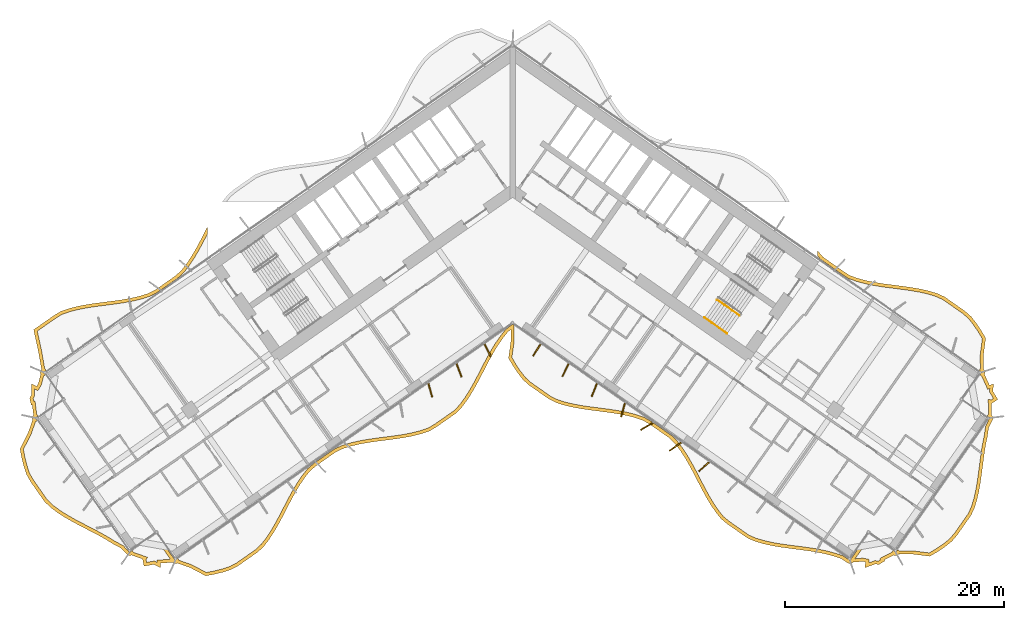
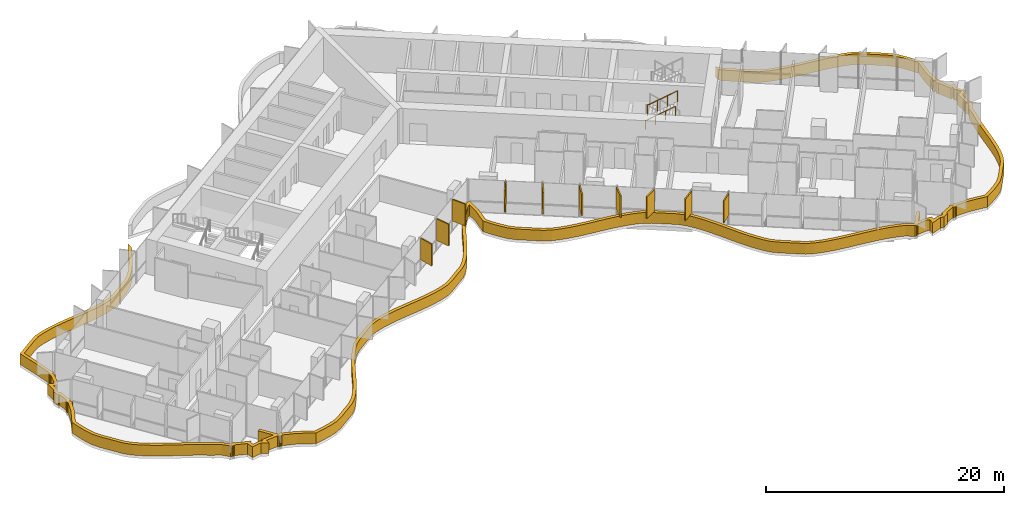
# One storey, part 21 of 24: 11 shading devices, 2 railings.
"""IFC4 building model written with IfcOpenShell, lengths in metres."""

from ifc_helpers import new_model, si_unit, direction, frame, origin, origin_2d, place, context, subcontext, project, spatial, polyline, rectangle, circle, outline, extrude, material, layer, layer_set, type_object, element, save


model = new_model("IFC4")

# Units and contexts
model_context = context("Model", 3, precision=1e-05, world=origin(), true_north=direction((0.0, 1.0)))
body_context = subcontext(model_context, "Body", "Model", "MODEL_VIEW")
ifc_project = project(units=[si_unit("LENGTHUNIT", "METRE"), si_unit("AREAUNIT", "SQUARE_METRE"), si_unit("VOLUMEUNIT", "CUBIC_METRE"), si_unit("PLANEANGLEUNIT", "RADIAN"), si_unit("MASSUNIT", "GRAM", prefix="KILO")], contexts=[model_context])

# Site, building, storey
site_placement = place(None, origin())
site = spatial("IfcSite", under=ifc_project, at=site_placement, CompositionType="ELEMENT")
building_placement = place(site_placement, origin())
building = spatial("IfcBuilding", under=site, at=building_placement, Name="Tel Ilan Convention Tower", CompositionType="ELEMENT")
storey_placement = place(building_placement, frame((0.0, 0.0, 68.89990234375)))
storey = spatial("IfcBuildingStorey", under=building, at=storey_placement, Name="L12", CompositionType="ELEMENT", Elevation=68.89990234375)

# Shading devices
ifc_material_1 = material(Name="Aluminium, bronze anodised", Category="aluminium")
ifc_layer_1 = layer(ifc_material_1, 0.1201171875)
ifc_layer_set_1 = layer_set([ifc_layer_1], Name="FIN BRONZE 1300x120")
shading_device_type_1 = type_object("IfcShadingDeviceType", Name="FIN BRONZE 1300x120", PredefinedType="USERDEFINED", material=ifc_layer_set_1)
for number, where, z_axis, x_axis, name in (
    (1, (-7.5244140625, -18.858642578125, 1.10009765625), (0.0, 0.0, 1.0), (0.268172612768, -0.963370878614, 0.0), "FIN"),
    (2, (-4.897705078125, -17.034912109375, 1.10009765625), (0.0, 0.0, 1.0), (0.360177724803, -0.932883704733, 0.0), "FIN"),
    (3, (-2.2734375, -15.205078125, 1.10009765625), (0.0, 0.0, 1.0), (0.448799180206, -0.893632640321, 0.0), "FIN"),
    (4, (2.221923828125, -15.16943359375, 1.10009765625), (0.0, 0.0, 1.0), (-0.533204432798, -0.845986425922, 0.0), "FIN"),
    (5, (4.843505859375, -17.004638671875, 1.10009765625), (0.0, 0.0, 1.0), (-0.448799180206, -0.893632640321, 0.0), "FIN"),
    (6, (7.4677734375, -18.83447265625, 1.10009765625), (0.0, 0.0, 1.0), (-0.360177724803, -0.932883704733, 0.0), "FIN"),
    (7, (10.09423828125, -20.658203125, 1.10009765625), (0.0, 0.0, 1.0), (-0.268172612768, -0.963370878614, 0.0), "FIN"),
    (8, (12.2724609375, -22.160888671875, 1.10009765625), (0.0, 0.0, 1.0), (-0.866025403784, -0.5, 0.0), "FIN"),
    (9, (14.879638671875, -24.009033203125, 1.10009765625), (0.0, 0.0, 1.0), (-0.813552070258, -0.581492071294, 0.0), "FIN"),
    (10, (17.491943359375, -25.853271484375, 1.10009765625), (0.0, 0.0, 1.0), (-0.753435896329, -0.657521368568, 0.0), "FIN"),
):
    element("IfcShadingDevice", number, at=place(storey_placement, frame(where, z_axis=z_axis, x_axis=x_axis)), inside=storey, type_object=shading_device_type_1, Name=name, ObjectType="FIN", PredefinedType="USERDEFINED", context=body_context, shape_type="SweptSolid", body=[
        extrude(rectangle(XDim=1.300048828125, YDim=0.1201171875, at=origin_2d()), origin(), (0.0, 0.0, 1.0), 2.219970703125),
    ])
ifc_material_2 = material(Name="Aluminium, bronze anodised", Category="aluminium")
ifc_layer_2 = layer(ifc_material_2, 0.300048828125)
ifc_layer_set_2 = layer_set([ifc_layer_2], Name="LOUVRE BAND 300x1100")
shading_device_type_2 = type_object("IfcShadingDeviceType", Name="LOUVRE BAND 300x1100", PredefinedType="USERDEFINED", material=ifc_layer_set_2)
shading_device_placement = place(storey_placement, origin())
element("IfcShadingDevice", 11, at=shading_device_placement, inside=storey, type_object=shading_device_type_2, Name="LOUVRE BAND 12.01", ObjectType="LOUVRE", PredefinedType="USERDEFINED", context=body_context, shape_type="SweptSolid", body=[
    extrude(outline(polyline([(-44.2939453125, -22.77490234375), (-45.028564453125, -24.204833984375), (-44.876953125, -25.01416015625), (-44.68408203125, -25.794677734375), (-44.4384765625, -26.538330078125), (-44.07080078125, -27.196533203125), (-42.7802734375, -29.03955078125), (-42.232421875, -29.571533203125), (-41.598876953125, -30.04345703125), (-40.91650390625, -30.481201171875), (-40.196533203125, -30.892822265625), (-39.45263671875, -31.287353515625), (-37.949462890625, -32.066162109375), (-37.219970703125, -32.470947265625), (-36.523681640625, -32.89892578125), (-35.783203125, -33.2958984375), (-35.26318359375, -33.847412109375), (-35.258544921875, -33.843994140625), (-35.2294921875, -33.887451171875), (-35.13232421875, -33.952392578125), (-35.017578125, -33.975341796875), (-34.902587890625, -33.952392578125), (-34.8486328125, -33.91650390625), (-33.810546875, -34.284912109375), (-33.821533203125, -34.302734375), (-33.688720703125, -34.9423828125), (-32.80029296875, -34.774658203125), (-32.20068359375, -35.082763671875), (-32.199462890625, -34.66796875), (-31.080322265625, -34.580810546875), (-31.051513671875, -34.624267578125), (-30.9541015625, -34.689208984375), (-30.83935546875, -34.7119140625), (-30.724365234375, -34.689208984375), (-30.67041015625, -34.653076171875), (-29.47802734375, -35.069091796875), (-28.049560546875, -35.822265625), (-27.250732421875, -35.676025390625), (-26.48095703125, -35.488525390625), (-25.74609375, -35.2509765625), (-25.0888671875, -34.90234375), (-23.27490234375, -33.63232421875), (-22.733642578125, -33.117919921875), (-22.262939453125, -32.50341796875), (-21.826416015625, -31.839599609375), (-21.4169921875, -31.13720703125), (-21.026123046875, -30.408935546875), (-20.2607421875, -28.927978515625), (-19.86669921875, -28.20361328125), (-19.45263671875, -27.5078125), (-19.010009765625, -26.85302734375), (-18.53173828125, -26.249267578125), (-17.96875, -25.76611328125), (-16.154541015625, -24.495849609375), (-15.474853515625, -24.1796875), (-14.732666015625, -23.952880859375), (-13.95654296875, -23.774169921875), (-13.154296875, -23.6328125), (-12.334716796875, -23.516357421875), (-10.681640625, -23.30322265625), (-9.86767578125, -23.178466796875), (-9.074951171875, -23.023681640625), (-8.3115234375, -22.8271484375), (-7.584228515625, -22.57861328125), (-6.9482421875, -22.2001953125), (-5.134033203125, -20.929931640625), (-4.616455078125, -20.38232421875), (-4.15283203125, -19.75732421875), (-3.722412109375, -19.0849609375), (-3.3173828125, -18.37646484375), (-2.9287109375, -17.644287109375), (-2.16259765625, -16.16455078125), (-1.765380859375, -15.44482421875), (-1.346435546875, -14.75634765625), (-0.897216796875, -14.110595703125), (-0.422119140625, -13.502197265625), (-0.16796875, -13.31494140625), (-0.15185546875, -14.322021484375), (-0.37109375, -15.922119140625), (0.03955078125, -16.62255859375), (0.47900390625, -17.281982421875), (0.95361328125, -17.89111328125), (1.505859375, -18.389404296875), (3.320068359375, -19.65966796875), (3.98828125, -19.9921875), (4.726806640625, -20.224609375), (5.499755859375, -20.407470703125), (6.2998046875, -20.552001953125), (7.1181640625, -20.67041015625), (8.771484375, -20.883056640625), (9.5869140625, -21.005615234375), (10.38232421875, -21.15673828125), (11.14892578125, -21.3486328125), (11.880126953125, -21.591796875), (12.5263671875, -21.95556640625), (14.340576171875, -23.225830078125), (14.8701171875, -23.75634765625), (15.337158203125, -24.376220703125), (15.770751953125, -25.044189453125), (16.177734375, -25.749755859375), (16.567626953125, -26.480224609375), (17.333251953125, -27.960693359375), (17.728759765625, -28.682861328125), (18.145263671875, -29.375), (18.59130859375, -30.025146484375), (19.073486328125, -30.62353515625), (19.646728515625, -31.091796875), (21.460693359375, -32.362060546875), (22.15234375, -32.6611328125), (22.898193359375, -32.883056640625), (23.67724609375, -33.057373046875), (24.481689453125, -33.19580078125), (25.302490234375, -33.310546875), (26.955078125, -33.5244140625), (27.767333984375, -33.6513671875), (28.5576171875, -33.809814453125), (29.31787109375, -34.010986328125), (30.052001953125, -34.24951171875), (30.667236328125, -34.65771484375), (30.67041015625, -34.653076171875), (30.724365234375, -34.689208984375), (30.83935546875, -34.7119140625), (30.9541015625, -34.689208984375), (31.051513671875, -34.624267578125), (31.080322265625, -34.580810546875), (32.01025390625, -34.49951171875), (32.267822265625, -34.55126953125), (32.20068359375, -35.082763671875), (33.17138671875, -34.73291015625), (33.477294921875, -34.794189453125), (34.032958984375, -34.450927734375), (33.979248046875, -34.3603515625), (34.8486328125, -33.91650390625), (34.902587890625, -33.952392578125), (35.017578125, -33.975341796875), (35.13232421875, -33.952392578125), (35.2294921875, -33.887451171875), (35.258544921875, -33.843994140625), (36.55078125, -33.833251953125), (38.145751953125, -34.034423828125), (38.8544921875, -33.615234375), (39.521728515625, -33.1669921875), (40.13671875, -32.681884765625), (40.62939453125, -32.111328125), (41.919921875, -30.268310546875), (42.232421875, -29.571533203125), (42.45947265625, -28.814697265625), (42.63720703125, -28.023681640625), (42.77783203125, -27.20654296875), (42.89404296875, -26.372314453125), (43.11181640625, -24.693603515625), (43.24267578125, -23.86962890625), (43.40673828125, -23.069091796875), (43.5263671875, -22.2373046875), (43.866943359375, -21.56005859375), (43.8623046875, -21.556884765625), (43.898193359375, -21.5029296875), (43.921142578125, -21.387939453125), (43.898193359375, -21.273193359375), (43.833251953125, -21.17578125), (43.7900390625, -21.14697265625), (43.78125, -20.04541015625), (43.8017578125, -20.049560546875), (44.357177734375, -19.7060546875), (43.89599609375, -18.9287109375), (43.98046875, -18.259765625), (43.590087890625, -18.400634765625), (43.12548828125, -17.378662109375), (43.16162109375, -17.32470703125), (43.184326171875, -17.2099609375), (43.16162109375, -17.094970703125), (43.096435546875, -16.997802734375), (43.05322265625, -16.96875), (43.041259765625, -15.681884765625), (43.245849609375, -14.085693359375), (42.828125, -13.378662109375), (42.38134765625, -12.712646484375), (41.898193359375, -12.098876953125), (41.330810546875, -11.605224609375), (39.492919921875, -10.318359375), (38.80126953125, -10.001953125), (38.0478515625, -9.774169921875), (37.260009765625, -9.595458984375), (36.44580078125, -9.4541015625), (35.614501953125, -9.337646484375), (33.940185546875, -9.120849609375), (33.117919921875, -8.99169921875), (32.318115234375, -8.830078125), (31.54931640625, -8.623779296875), (30.819091796875, -8.36279296875), (30.191162109375, -7.955810546875), (28.35693359375, -6.66357421875), (27.874755859375, -6.095458984375), (27.874755859375, -6.55908203125), (28.15234375, -6.88623046875), (30.0234375, -8.20458984375), (30.68505859375, -8.633544921875), (31.4599609375, -8.910400390625), (32.249267578125, -9.1220703125), (33.064697265625, -9.286865234375), (33.897216796875, -9.417724609375), (35.574951171875, -9.635009765625), (36.3994140625, -9.750732421875), (37.201171875, -9.8896484375), (37.97119140625, -10.064453125), (38.695068359375, -10.283447265625), (39.34326171875, -10.57958984375), (41.145751953125, -11.841796875), (41.679931640625, -12.306640625), (42.138427734375, -12.889404296875), (42.57421875, -13.53857421875), (42.935302734375, -14.149658203125), (42.740966796875, -15.66455078125), (42.75537109375, -16.87109375), (42.638671875, -17.037841796875), (42.88427734375, -17.2099609375), (42.712890625, -17.4560546875), (42.890625, -17.580322265625), (43.430908203125, -18.77685546875), (43.621337890625, -18.7080078125), (43.58544921875, -18.9931640625), (43.948974609375, -19.605712890625), (43.74462890625, -19.732177734375), (43.477294921875, -19.678466796875), (43.4921875, -21.049072265625), (43.37548828125, -21.216064453125), (43.62109375, -21.387939453125), (43.44970703125, -21.63427734375), (43.482421875, -21.656982421875), (43.236328125, -22.146240234375), (43.111083984375, -23.017578125), (42.947265625, -23.816162109375), (42.81494140625, -24.650390625), (42.5966796875, -26.332763671875), (42.481201171875, -27.160400390625), (42.343017578125, -27.96533203125), (42.1689453125, -28.73876953125), (41.95068359375, -29.466552734375), (41.657958984375, -30.11962890625), (40.392333984375, -31.9267578125), (39.928466796875, -32.464111328125), (39.344970703125, -32.92431640625), (38.6943359375, -33.361328125), (38.081298828125, -33.72412109375), (36.56787109375, -33.533203125), (35.3564453125, -33.54638671875), (35.189453125, -33.429443359375), (35.017578125, -33.67529296875), (34.771240234375, -33.50390625), (34.642822265625, -33.6875), (33.5576171875, -34.23779296875), (33.62451171875, -34.3505859375), (33.42041015625, -34.476806640625), (33.1484375, -34.422119140625), (32.559814453125, -34.634521484375), (32.600341796875, -34.31201171875), (32.026611328125, -34.19677734375), (31.310302734375, -34.26220703125), (32.117919921875, -33.109130859375), (31.8720703125, -32.93701171875), (30.83935546875, -34.412109375), (30.593505859375, -34.239990234375), (30.58935546875, -34.24609375), (30.183837890625, -33.976806640625), (29.402587890625, -33.722900390625), (28.62548828125, -33.517333984375), (27.81982421875, -33.35595703125), (26.997802734375, -33.227294921875), (25.342041015625, -33.01318359375), (24.52783203125, -32.8994140625), (23.735595703125, -32.76318359375), (22.973876953125, -32.592529296875), (22.255126953125, -32.378662109375), (21.60791015625, -32.0986328125), (19.827880859375, -30.852294921875), (19.287353515625, -30.410888671875), (18.83203125, -29.845947265625), (18.397705078125, -29.212646484375), (17.989013671875, -28.533203125), (17.597900390625, -27.8193359375), (16.833251953125, -26.3408203125), (16.440185546875, -25.604248046875), (16.026611328125, -24.8876953125), (15.583251953125, -24.2041015625), (15.09716796875, -23.55908203125), (14.5341796875, -22.9951171875), (12.6865234375, -21.701171875), (12.001953125, -21.316162109375), (11.23291015625, -21.060546875), (10.44677734375, -20.863525390625), (9.63720703125, -20.709716796875), (8.81298828125, -20.5859375), (7.15869140625, -20.373046875), (6.347900390625, -20.255859375), (5.56103515625, -20.11376953125), (4.806396484375, -19.93505859375), (4.100830078125, -19.713134765625), (3.4736328125, -19.401123046875), (1.693115234375, -18.154296875), (1.17431640625, -17.68603515625), (0.72265625, -17.106201171875), (0.294189453125, -16.46337890625), (-0.059814453125, -15.85986328125), (0.1484375, -14.340087890625), (0.12548828125, -12.906005859375), (0.0, -12.818115234375), (-0.63330078125, -13.285400390625), (-1.138916015625, -13.9326171875), (-1.597900390625, -14.592529296875), (-2.025146484375, -15.294189453125), (-2.427001953125, -16.022705078125), (-3.19482421875, -17.50537109375), (-3.580078125, -18.231689453125), (-3.979248046875, -18.929443359375), (-4.39990234375, -19.5869140625), (-4.8466796875, -20.189208984375), (-5.3310546875, -20.70166015625), (-7.111083984375, -21.947998046875), (-7.7109375, -22.304931640625), (-8.3974609375, -22.53955078125), (-9.14111328125, -22.73095703125), (-9.919189453125, -22.8828125), (-10.723876953125, -23.006103515625), (-12.374755859375, -23.218994140625), (-13.201416015625, -23.33642578125), (-14.016357421875, -23.47998046875), (-14.810302734375, -23.662841796875), (-15.58251953125, -23.89892578125), (-16.30517578125, -24.235107421875), (-18.15283203125, -25.52880859375), (-18.748779296875, -26.040283203125), (-19.252197265625, -26.675537109375), (-19.7060546875, -27.346923828125), (-20.12744140625, -28.05517578125), (-20.525634765625, -28.787109375), (-21.29150390625, -30.26904296875), (-21.678955078125, -30.99072265625), (-22.08154296875, -31.681640625), (-22.507568359375, -32.32958984375), (-22.95751953125, -32.916748046875), (-23.46533203125, -33.3994140625), (-25.245849609375, -34.64599609375), (-25.86328125, -34.9736328125), (-26.5625, -35.19970703125), (-27.313232421875, -35.38232421875), (-28.00146484375, -35.508544921875), (-29.3583984375, -34.79296875), (-30.477294921875, -34.406005859375), (-30.593505859375, -34.239990234375), (-30.83935546875, -34.412109375), (-31.8720703125, -32.93701171875), (-32.117919921875, -33.109130859375), (-31.28515625, -34.29833984375), (-32.498779296875, -34.3896484375), (-32.499267578125, -34.59228515625), (-32.7548828125, -34.4609375), (-33.454833984375, -34.593017578125), (-33.503662109375, -34.35791015625), (-33.361572265625, -34.124755859375), (-34.655029296875, -33.669921875), (-34.771240234375, -33.50390625), (-35.017578125, -33.67529296875), (-35.189453125, -33.429443359375), (-35.222900390625, -33.452880859375), (-35.598388671875, -33.054443359375), (-36.374267578125, -32.638671875), (-37.068603515625, -32.211669921875), (-37.807373046875, -31.802001953125), (-39.313720703125, -31.021240234375), (-40.052001953125, -30.6298828125), (-40.760986328125, -30.224609375), (-41.42822265625, -29.796630859375), (-42.03759765625, -29.342529296875), (-42.551025390625, -28.84423828125), (-43.81640625, -27.036865234375), (-44.16259765625, -26.4169921875), (-44.3955078125, -25.71142578125), (-44.583740234375, -24.950439453125), (-44.71484375, -24.25048828125), (-44.017822265625, -22.8935546875), (-43.61572265625, -21.75048828125), (-43.44970703125, -21.63427734375), (-43.62109375, -21.387939453125), (-43.37548828125, -21.216064453125), (-43.50439453125, -21.03173828125), (-43.650390625, -19.823974609375), (-43.779296875, -19.84814453125), (-43.828125, -19.613037109375), (-43.683837890625, -19.376220703125), (-43.681884765625, -18.75048828125), (-43.392822265625, -18.89892578125), (-43.088134765625, -18.399169921875), (-42.8681640625, -17.564697265625), (-42.712890625, -17.4560546875), (-42.88427734375, -17.2099609375), (-42.638671875, -17.037841796875), (-42.772705078125, -16.846435546875), (-43.07080078125, -15.1611328125), (-43.445556640625, -13.4521484375), (-41.779296875, -12.285400390625), (-41.1748046875, -11.917724609375), (-40.481201171875, -11.678466796875), (-39.728515625, -11.483642578125), (-38.940185546875, -11.32958984375), (-38.125, -11.204833984375), (-36.4521484375, -10.9892578125), (-35.61474609375, -10.869140625), (-34.790283203125, -10.7216796875), (-33.988037109375, -10.532958984375), (-33.2060546875, -10.2880859375), (-32.48779296875, -9.93017578125), (-30.61474609375, -8.61865234375), (-30.02783203125, -8.073974609375), (-29.527587890625, -7.424560546875), (-29.074462890625, -6.73681640625), (-28.652587890625, -6.013916015625), (-28.2529296875, -5.268798828125), (-27.874755859375, -4.535400390625), (-27.874755859375, -3.883544921875), (-28.518310546875, -5.129150390625), (-28.91455078125, -5.8671875), (-29.329345703125, -6.57861328125), (-29.772216796875, -7.250244140625), (-30.250244140625, -7.87109375), (-30.8037109375, -8.384765625), (-32.6416015625, -9.671630859375), (-33.318603515625, -10.0087890625), (-34.067138671875, -10.243408203125), (-34.85107421875, -10.427734375), (-35.66259765625, -10.572998046875), (-36.4921875, -10.69189453125), (-38.167236328125, -10.90771484375), (-38.99169921875, -11.033935546875), (-39.794921875, -11.19091796875), (-40.56787109375, -11.390869140625), (-41.30322265625, -11.64453125), (-41.943359375, -12.0341796875), (-43.78125, -13.321044921875), (-43.364990234375, -15.219482421875), (-43.05322265625, -16.96875), (-43.096435546875, -16.997802734375), (-43.16162109375, -17.094970703125), (-43.184326171875, -17.2099609375), (-43.16162109375, -17.32470703125), (-43.12548828125, -17.378662109375), (-43.3671875, -18.2802734375), (-43.50390625, -18.504638671875), (-43.98046875, -18.259765625), (-43.9833984375, -19.291748046875), (-44.14599609375, -19.55810546875), (-44.01318359375, -20.197509765625), (-43.90966796875, -20.177978515625), (-43.7900390625, -21.14697265625), (-43.833251953125, -21.17578125), (-43.898193359375, -21.273193359375), (-43.921142578125, -21.387939453125), (-43.898193359375, -21.5029296875), (-43.8623046875, -21.556884765625), (-44.2939453125, -22.77490234375)])), origin(), (0.0, 0.0, 1.0), 1.10009765625),
])

# Railings
ifc_material_3 = material(Name="Stainless Steel Grade 316", Category="steel")
railing_type_1 = type_object("IfcRailingType", Name="Stainless Steel Stair Guard 1100 mm", PredefinedType="GUARDRAIL", material=ifc_material_3)
railing_1_placement = place(storey_placement, frame((18.689208984375, -10.583740234375, 1.97998046875)))
element("IfcRailing", 12, at=railing_1_placement, inside=storey, type_object=railing_type_1, Name="L12 S4 stair guard 3", PredefinedType="GUARDRAIL", context=body_context, shape_type="SweptSolid", body=[
    extrude(circle(Radius=0.02392578125, at=origin_2d()), frame((0.0, 0.0, 1.076171875), z_axis=(0.689055814419, -0.482485747064, 0.540749099395), x_axis=(0.573579365141, 0.81914999352, 0.0)), (0.0, 0.0, 1.0), 2.99609375),
    extrude(circle(Radius=0.02099609375, at=origin_2d()), origin(), (0.0, 0.0, 1.0), 1.052001953125),
    extrude(circle(Radius=0.02099609375, at=origin_2d()), frame((0.688232421875, -0.48193359375, 0.5400390625)), (0.0, 0.0, 1.0), 1.052001953125),
    extrude(circle(Radius=0.02099609375, at=origin_2d()), frame((1.376220703125, -0.963623046875, 1.080078125)), (0.0, 0.0, 1.0), 1.052001953125),
    extrude(circle(Radius=0.02099609375, at=origin_2d()), frame((2.064453125, -1.445556640625, 1.6201171875)), (0.0, 0.0, 1.0), 1.052001953125),
])
ifc_material_4 = material(Name="Stainless Steel Grade 316", Category="steel")
railing_type_2 = type_object("IfcRailingType", Name="Stainless Steel Stair Handrail 900 mm", PredefinedType="HANDRAIL", material=ifc_material_4)
railing_2_placement = place(storey_placement, frame((17.542236328125, -12.22216796875, 1.97998046875)))
element("IfcRailing", 13, at=railing_2_placement, inside=storey, type_object=railing_type_2, Name="L12 S4 stair handrail 2", PredefinedType="HANDRAIL", context=body_context, shape_type="SweptSolid", body=[
    extrude(circle(Radius=0.02392578125, at=origin_2d()), frame((0.0, 0.0, 0.8759765625), z_axis=(0.689040105437, -0.482450316285, 0.54080072616), x_axis=(0.573559875649, 0.819163639968, 0.0)), (0.0, 0.0, 1.0), 2.995849609375),
    extrude(circle(Radius=0.02099609375, at=origin_2d()), origin(), (0.0, 0.0, 1.0), 0.851806640625),
    extrude(circle(Radius=0.02099609375, at=origin_2d()), frame((0.68798828125, -0.481689453125, 0.5400390625)), (0.0, 0.0, 1.0), 0.851806640625),
    extrude(circle(Radius=0.02099609375, at=origin_2d()), frame((1.376220703125, -0.963623046875, 1.080078125)), (0.0, 0.0, 1.0), 0.851806640625),
    extrude(circle(Radius=0.02099609375, at=origin_2d()), frame((2.064208984375, -1.4453125, 1.6201171875)), (0.0, 0.0, 1.0), 0.851806640625),
])

save(model, "model.ifc")
